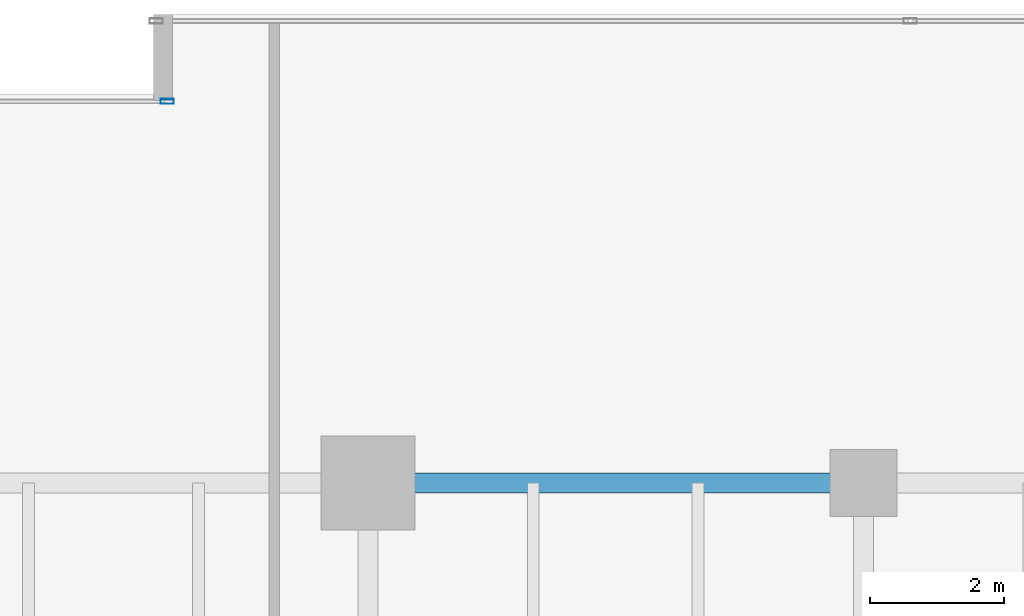
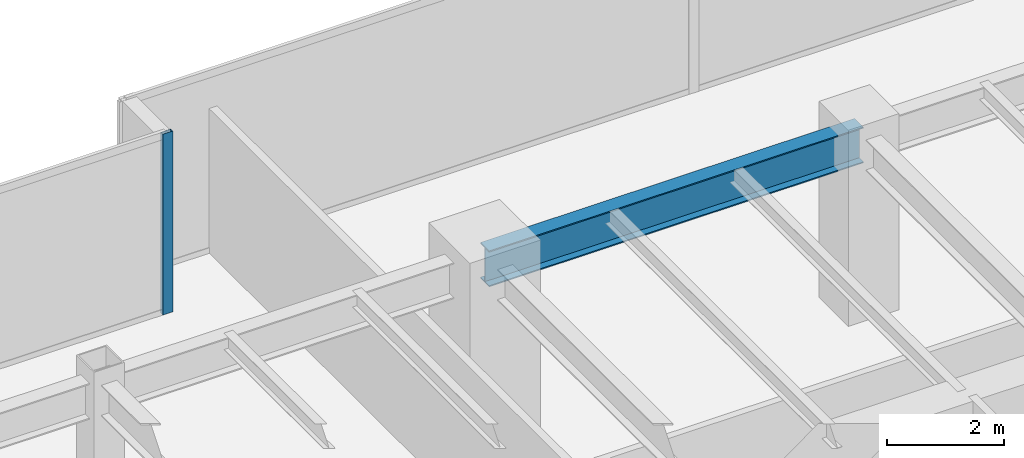
# One storey, part 20 of 35: 1 beam, 1 member, 1 element without a shape of its own.
"""IFC4 building model written with IfcOpenShell, lengths in metres."""

from ifc_helpers import new_model, si_unit, direction, frame, origin, origin_2d, place, context, subcontext, project, spatial, hollow_rectangle, i_section, extrude, source, transform, mapped, material, layer, layer_set, material_profile, profile_set, type_object, type_shapes, element, aggregate, save


model = new_model("IFC4")

# Units and contexts
model_context = context("Model", 3, precision=1e-05, world=origin(), true_north=direction((0.0, 1.0)))
body_context = subcontext(model_context, "Body", "Model", "MODEL_VIEW")
ifc_project = project(units=[si_unit("LENGTHUNIT", "METRE"), si_unit("AREAUNIT", "SQUARE_METRE"), si_unit("VOLUMEUNIT", "CUBIC_METRE"), si_unit("PLANEANGLEUNIT", "RADIAN"), si_unit("MASSUNIT", "GRAM", prefix="KILO")], contexts=[model_context])

# Site, building, storey
site_placement = place(None, origin())
site = spatial("IfcSite", under=ifc_project, at=site_placement, CompositionType="ELEMENT")
building_placement = place(site_placement, origin())
building = spatial("IfcBuilding", under=site, at=building_placement, Name="Haelvirn Gate Laboratories", CompositionType="ELEMENT")
storey_placement = place(building_placement, frame((0.0, 0.0, 90.800048828125)))
storey = spatial("IfcBuildingStorey", under=building, at=storey_placement, Name="L22", CompositionType="ELEMENT", Elevation=90.800048828125)

# Beam
ifc_material_1 = material(Name="Steel SM355", Category="steel")
ifc_material_profile_1 = material_profile(ifc_material_1, i_section(OverallWidth=0.300048828125, OverallDepth=0.75, WebThickness=0.013916015625, FlangeThickness=0.02392578125, at=origin_2d()), Name="H-750x300x14x24")
ifc_profile_set_1 = profile_set([ifc_material_profile_1], Name="Steel SM355")
beam_type = type_object("IfcBeamType", Name="BM-G-750", PredefinedType="BEAM", material=ifc_profile_set_1)
shared_shape_1 = source(origin(), body_context, "Body", "SweptSolid", [
    extrude(i_section(OverallWidth=0.300048828125, OverallDepth=0.75, WebThickness=0.013916015625, FlangeThickness=0.02392578125, at=origin_2d()), origin(), (0.0, 0.0, 1.0), 7.39990234375),
])
type_shapes(beam_type, [shared_shape_1])
beam_placement = place(storey_placement, frame((52.60009765625, 41.60009765625, 3.405029296875), z_axis=(1.0, 0.0, 0.0), x_axis=(0.0, 1.0, 0.0)))
element("IfcBeam", 1, at=beam_placement, inside=storey, type_object=beam_type, Name="L22 Primary Girder Y41.6 (52.6-60.0)", PredefinedType="BEAM", context=body_context, shape_type="MappedRepresentation", body=[
    mapped(shared_shape_1, transform((0.0, 0.0, 0.0), scale=1.0)),
])

# Curtain wall, member
ifc_material_2 = material(Name="Anodised bronze unitised aluminium & triple low-E glass", Category="aluminium")
ifc_layer = layer(ifc_material_2, 0.18408203125, Name="CW-SYS-2")
ifc_layer_set = layer_set([ifc_layer], Name="Anodised bronze unitised aluminium & triple low-E glass")
curtain_wall_type = type_object("IfcCurtainWallType", Name="CW-SYS-2", PredefinedType="NOTDEFINED", material=ifc_layer_set)
curtain_wall_placement = place(storey_placement, origin())
curtain_wall = element("IfcCurtainWall", 2, at=curtain_wall_placement, inside=storey, type_object=curtain_wall_type, Name="L22 Unitised Curtain Wall CW-L22-P0-E12-1", PredefinedType="NOTDEFINED")
ifc_material_3 = material(Name="Extruded aluminium 6063-T6 (anodised bronze)", Category="aluminium")
ifc_material_profile_2 = material_profile(ifc_material_3, hollow_rectangle(XDim=0.074951171875, YDim=0.199951171875, WallThickness=0.0048828125, at=origin_2d()), Name="CWM-200x75x5")
ifc_profile_set_2 = profile_set([ifc_material_profile_2], Name="Extruded aluminium 6063-T6 (anodised bronze)")
member_type = type_object("IfcMemberType", Name="CWM-T200", PredefinedType="MULLION", material=ifc_profile_set_2)
shared_shape_2 = source(origin(), body_context, "Body", "SweptSolid", [
    extrude(hollow_rectangle(XDim=0.074951171875, YDim=0.199951171875, WallThickness=0.0048828125, at=origin_2d()), origin(), (0.0, 0.0, 1.0), 3.780029296875),
])
type_shapes(member_type, [shared_shape_2])
member_placement = place(storey_placement, frame((49.6025390625, 47.300048828125, 0.0), z_axis=(0.0, 0.0, 1.0), x_axis=(0.0, 1.0, 0.0)))
member = element("IfcMember", 3, at=member_placement, type_object=member_type, Name="CW2 mullion 3", PredefinedType="MULLION", context=body_context, shape_type="MappedRepresentation", body=[
    mapped(shared_shape_2, transform((0.0, 0.0, 0.0), scale=1.0)),
])
aggregate(curtain_wall, [member])

save(model, "model.ifc")
